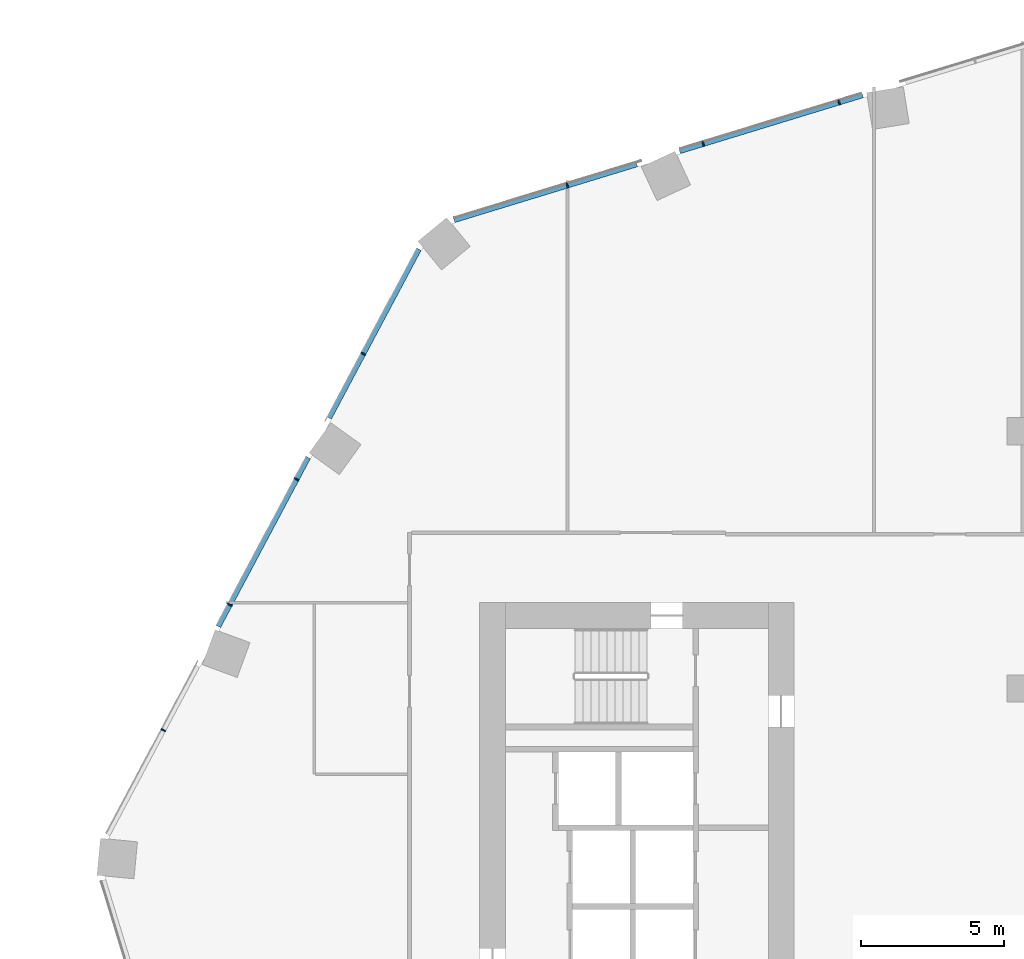
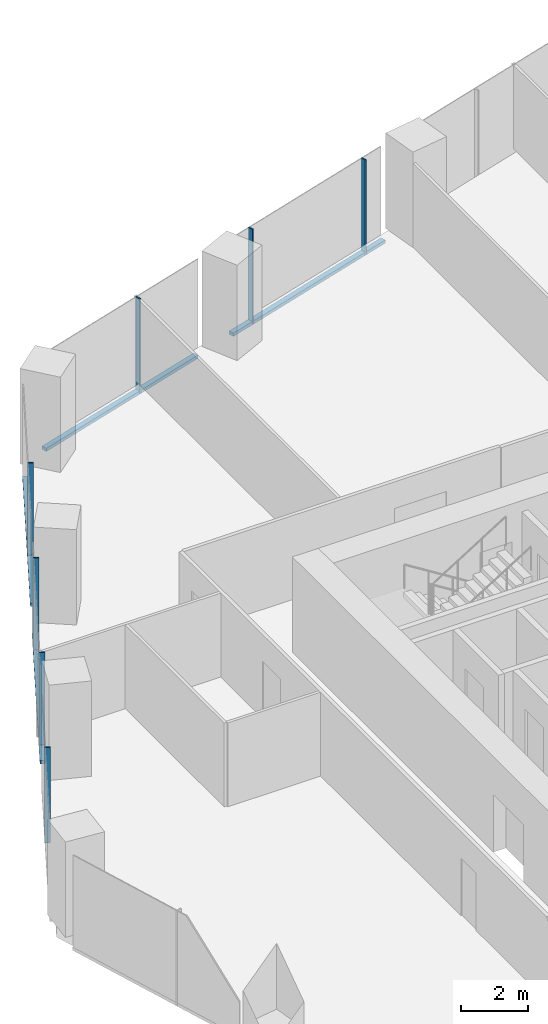
# One storey, part 11 of 31: 11 members, 2 elements without a shape of their own.
"""IFC4 building model written with IfcOpenShell, lengths in metres."""

from ifc_helpers import new_model, si_unit, direction, frame, origin, origin_2d, place, context, subcontext, project, spatial, rectangle, extrude, material, material_profile, profile_set, type_object, element, aggregate, save


model = new_model("IFC4")

# Units and contexts
model_context = context("Model", 3, precision=1e-05, world=origin(), true_north=direction((0.0, 1.0)))
body_context = subcontext(model_context, "Body", "Model", "MODEL_VIEW")
ifc_project = project(units=[si_unit("LENGTHUNIT", "METRE"), si_unit("AREAUNIT", "SQUARE_METRE"), si_unit("VOLUMEUNIT", "CUBIC_METRE"), si_unit("PLANEANGLEUNIT", "RADIAN"), si_unit("MASSUNIT", "GRAM", prefix="KILO")], contexts=[model_context])

# Site, building, storey
site_placement = place(None, origin())
site = spatial("IfcSite", under=ifc_project, at=site_placement, CompositionType="ELEMENT")
building_placement = place(site_placement, origin())
building = spatial("IfcBuilding", under=site, at=building_placement, Name="Orlundy Tower", CompositionType="ELEMENT")
storey_placement = place(building_placement, frame((0.0, 0.0, 84.199951171875)))
storey = spatial("IfcBuildingStorey", under=building, at=storey_placement, Name="L20", CompositionType="ELEMENT", Elevation=84.199951171875)

# Curtain wall, members
ifc_material_1 = material(Name="Aluminium bronze anodised", Category="aluminium")
curtain_wall_type = type_object("IfcCurtainWallType", Name="CW1 wall", PredefinedType="NOTDEFINED", material=ifc_material_1)
curtain_wall_1_placement = place(storey_placement, origin())
curtain_wall_1 = element("IfcCurtainWall", 1, at=curtain_wall_1_placement, inside=storey, type_object=curtain_wall_type, Name="CW1 run 02", PredefinedType="NOTDEFINED")
ifc_material_2 = material(Name="Aluminium bronze anodised", Category="aluminium")
ifc_material_profile_1 = material_profile(ifc_material_2, rectangle(XDim=0.179931640625, YDim=0.050048828125, at=origin_2d()), Name="CW1 mullion 50x180")
ifc_profile_set_1 = profile_set([ifc_material_profile_1], Name="Aluminium bronze anodised")
member_type_1 = type_object("IfcMemberType", Name="CW1 mullion 50x180", PredefinedType="MULLION", material=ifc_profile_set_1)
member_1_placement = place(storey_placement, frame((-30.068115234375, 7.54296875, -0.39990234375), z_axis=(0.0, 0.0, 1.0), x_axis=(-0.882961465544, 0.469445471129, 0.0)))
member_1 = element("IfcMember", 2, at=member_1_placement, type_object=member_type_1, Name="CW1 mullion 10", PredefinedType="MULLION", context=body_context, shape_type="SweptSolid", body=[
    extrude(rectangle(XDim=0.179931640625, YDim=0.050048828125, at=origin_2d()), origin(), (0.0, 0.0, 1.0), 3.5),
])
member_2_placement = place(storey_placement, frame((-27.734619140625, 11.931884765625, -0.39990234375), z_axis=(0.0, 0.0, 1.0), x_axis=(-0.882961465544, 0.469445471129, 0.0)))
member_2 = element("IfcMember", 3, at=member_2_placement, type_object=member_type_1, Name="CW1 mullion 11", PredefinedType="MULLION", context=body_context, shape_type="SweptSolid", body=[
    extrude(rectangle(XDim=0.179931640625, YDim=0.050048828125, at=origin_2d()), origin(), (0.0, 0.0, 1.0), 3.5),
])
member_3_placement = place(storey_placement, frame((-25.4013671875, 16.320556640625, -0.39990234375), z_axis=(0.0, 0.0, 1.0), x_axis=(-0.882961465544, 0.469445471129, 0.0)))
member_3 = element("IfcMember", 4, at=member_3_placement, type_object=member_type_1, Name="CW1 mullion 12", PredefinedType="MULLION", context=body_context, shape_type="SweptSolid", body=[
    extrude(rectangle(XDim=0.179931640625, YDim=0.050048828125, at=origin_2d()), origin(), (0.0, 0.0, 1.0), 3.5),
])
member_4_placement = place(storey_placement, frame((-23.06787109375, 20.70947265625, -0.39990234375), z_axis=(0.0, 0.0, 1.0), x_axis=(-0.882961465544, 0.469445471129, 0.0)))
member_4 = element("IfcMember", 5, at=member_4_placement, type_object=member_type_1, Name="CW1 mullion 13", PredefinedType="MULLION", context=body_context, shape_type="SweptSolid", body=[
    extrude(rectangle(XDim=0.179931640625, YDim=0.050048828125, at=origin_2d()), origin(), (0.0, 0.0, 1.0), 3.5),
])

curtain_wall_2_placement = place(storey_placement, origin())
curtain_wall_2 = element("IfcCurtainWall", 6, at=curtain_wall_2_placement, inside=storey, type_object=curtain_wall_type, Name="CW1 run 03", PredefinedType="NOTDEFINED")
member_5_placement = place(storey_placement, frame((-15.927978515625, 26.59521484375, -0.39990234375), z_axis=(0.0, 0.0, 1.0), x_axis=(-0.292360624804, 0.956308143364, 0.0)))
member_5 = element("IfcMember", 7, at=member_5_placement, type_object=member_type_1, Name="CW1 mullion 15", PredefinedType="MULLION", context=body_context, shape_type="SweptSolid", body=[
    extrude(rectangle(XDim=0.179931640625, YDim=0.050048828125, at=origin_2d()), origin(), (0.0, 0.0, 1.0), 3.5),
])
member_6_placement = place(storey_placement, frame((-11.174560546875, 28.048583984375, -0.39990234375), z_axis=(0.0, 0.0, 1.0), x_axis=(-0.292360624804, 0.956308143364, 0.0)))
member_6 = element("IfcMember", 8, at=member_6_placement, type_object=member_type_1, Name="CW1 mullion 16", PredefinedType="MULLION", context=body_context, shape_type="SweptSolid", body=[
    extrude(rectangle(XDim=0.179931640625, YDim=0.050048828125, at=origin_2d()), origin(), (0.0, 0.0, 1.0), 3.5),
])
member_7_placement = place(storey_placement, frame((-6.421142578125, 29.501708984375, -0.39990234375), z_axis=(0.0, 0.0, 1.0), x_axis=(-0.292360624804, 0.956308143364, 0.0)))
member_7 = element("IfcMember", 9, at=member_7_placement, type_object=member_type_1, Name="CW1 mullion 17", PredefinedType="MULLION", context=body_context, shape_type="SweptSolid", body=[
    extrude(rectangle(XDim=0.179931640625, YDim=0.050048828125, at=origin_2d()), origin(), (0.0, 0.0, 1.0), 3.5),
])

# Member
ifc_material_3 = material(Name="Aluminium bronze anodised", Category="aluminium")
ifc_material_profile_2 = material_profile(ifc_material_3, rectangle(XDim=0.179931640625, YDim=0.1201171875, at=origin_2d()), Name="CW1 transom 180x120")
ifc_profile_set_2 = profile_set([ifc_material_profile_2], Name="Aluminium bronze anodised")
member_type_2 = type_object("IfcMemberType", Name="CW1 transom 180x120", PredefinedType="USERDEFINED", material=ifc_profile_set_2)
member_8_placement = place(storey_placement, frame((-28.13916015625, 11.1708984375, -0.33984375), z_axis=(0.469421843638, 0.882974027203, 0.0), x_axis=(-0.882974027203, 0.469421843638, 0.0)))
member_8 = element("IfcMember", 10, at=member_8_placement, type_object=member_type_2, Name="CW1 transom", ObjectType="TRANSOM", PredefinedType="USERDEFINED", context=body_context, shape_type="SweptSolid", body=[
    extrude(rectangle(XDim=0.179931640625, YDim=0.1201171875, at=origin_2d()), origin(), (0.0, 0.0, 1.0), 6.694580078125),
])

member_9_placement = place(storey_placement, frame((-24.261962890625, 18.46337890625, -0.33984375), z_axis=(0.469433727662, 0.882967709111, 0.0), x_axis=(-0.882967709111, 0.469433727662, 0.0)))
member_9 = element("IfcMember", 11, at=member_9_placement, type_object=member_type_2, Name="CW1 transom", ObjectType="TRANSOM", PredefinedType="USERDEFINED", context=body_context, shape_type="SweptSolid", body=[
    extrude(rectangle(XDim=0.179931640625, YDim=0.1201171875, at=origin_2d()), origin(), (0.0, 0.0, 1.0), 6.6865234375),
])

aggregate(curtain_wall_1, [member_1, member_2, member_3, member_4, member_8, member_9])

member_10_placement = place(storey_placement, frame((-19.88818359375, 25.384521484375, -0.33984375), z_axis=(0.956312991932, 0.292344764725, 0.0), x_axis=(-0.292344764725, 0.956312991932, 0.0)))
member_10 = element("IfcMember", 12, at=member_10_placement, type_object=member_type_2, Name="CW1 transom", ObjectType="TRANSOM", PredefinedType="USERDEFINED", context=body_context, shape_type="SweptSolid", body=[
    extrude(rectangle(XDim=0.179931640625, YDim=0.1201171875, at=origin_2d()), origin(), (0.0, 0.0, 1.0), 6.6826171875),
])

member_11_placement = place(storey_placement, frame((-11.998291015625, 27.796630859375, -0.33984375), z_axis=(0.956307391667, 0.292363083585, 0.0), x_axis=(-0.292363083585, 0.956307391667, 0.0)))
member_11 = element("IfcMember", 13, at=member_11_placement, type_object=member_type_2, Name="CW1 transom", ObjectType="TRANSOM", PredefinedType="USERDEFINED", context=body_context, shape_type="SweptSolid", body=[
    extrude(rectangle(XDim=0.179931640625, YDim=0.1201171875, at=origin_2d()), origin(), (0.0, 0.0, 1.0), 6.69384765625),
])

aggregate(curtain_wall_2, [member_5, member_6, member_7, member_10, member_11])

save(model, "model.ifc")
